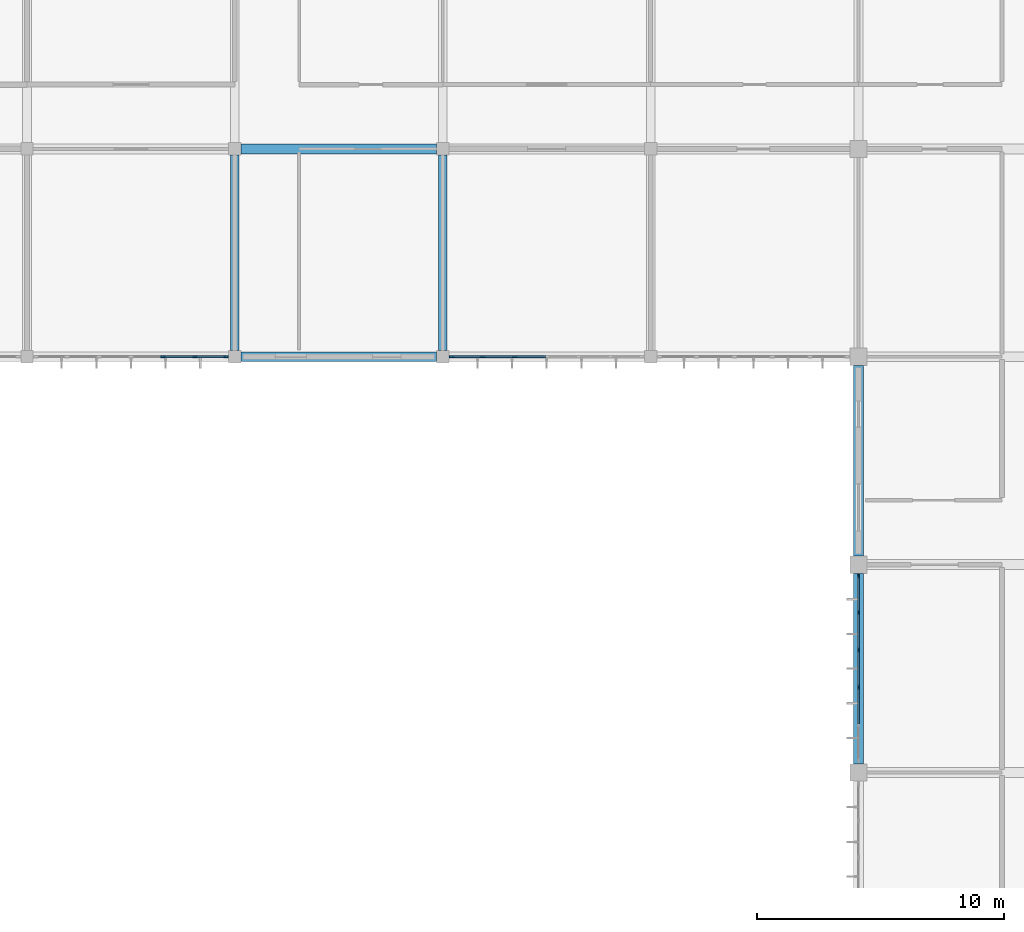
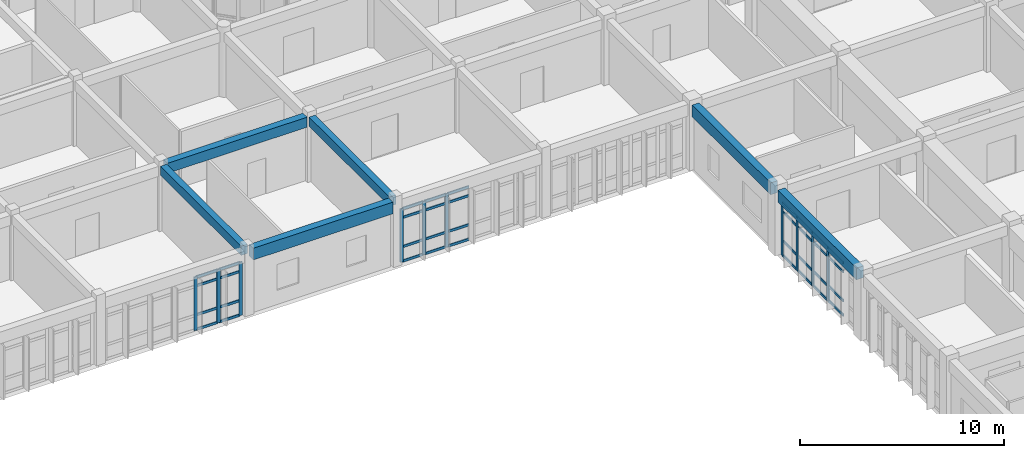
# One storey, part 11 of 119: 46 members, 6 beams, 3 elements without a shape of their own.
"""IFC4 building model written with IfcOpenShell, lengths in metres."""

from ifc_helpers import new_model, si_unit, direction, frame, origin, origin_2d, place, context, subcontext, project, spatial, rectangle, extrude, material, layer, layer_set, material_profile, profile_set, type_object, element, aggregate, save


model = new_model("IFC4")

# Units and contexts
model_context = context("Model", 3, precision=1e-05, world=origin(), true_north=direction((0.0, 1.0)))
body_context = subcontext(model_context, "Body", "Model", "MODEL_VIEW")
ifc_project = project(units=[si_unit("LENGTHUNIT", "METRE"), si_unit("AREAUNIT", "SQUARE_METRE"), si_unit("VOLUMEUNIT", "CUBIC_METRE"), si_unit("PLANEANGLEUNIT", "RADIAN"), si_unit("MASSUNIT", "GRAM", prefix="KILO")], contexts=[model_context])

# Site, building, storey
site_placement = place(None, origin())
site = spatial("IfcSite", under=ifc_project, at=site_placement, CompositionType="ELEMENT")
building_placement = place(site_placement, origin())
building = spatial("IfcBuilding", under=site, at=building_placement, Name="Bramfleet General Hospital", CompositionType="ELEMENT")
storey_placement = place(building_placement, frame((0.0, 0.0, 14.39990234375)))
storey = spatial("IfcBuildingStorey", under=building, at=storey_placement, Name="L03", CompositionType="ELEMENT", Elevation=14.39990234375)

# Beams
ifc_material_1 = material(Name="Concrete C35/45", Category="concrete")
ifc_material_profile_1 = material_profile(ifc_material_1, rectangle(XDim=0.35009765625, YDim=0.550048828125, at=origin_2d()), Name="RC BM 550x350")
ifc_profile_set_1 = profile_set([ifc_material_profile_1], Name="Concrete C35/45")
beam_type_1 = type_object("IfcBeamType", Name="BM-RC550", PredefinedType="BEAM", material=ifc_profile_set_1)
for number, where, z_axis, x_axis, name in (
    (1, (67.199951171875, 50.64990234375, 3.625), (0.0, 1.0, 0.0), (-1.0, 0.0, 0.0), "L03 Grid Beam Y 08-06"),
    (2, (75.60009765625, 50.64990234375, 3.625), (0.0, 1.0, 0.0), (-1.0, 0.0, 0.0), "L03 Grid Beam Y 09-06"),
):
    element("IfcBeam", number, at=place(storey_placement, frame(where, z_axis=z_axis, x_axis=x_axis)), inside=storey, type_object=beam_type_1, Name=name, PredefinedType="BEAM", context=body_context, shape_type="SweptSolid", body=[
        extrude(rectangle(XDim=0.35009765625, YDim=0.550048828125, at=origin_2d()), origin(), (0.0, 0.0, 1.0), 7.900146484375),
    ])
ifc_material_profile_2 = material_profile(ifc_material_1, rectangle(XDim=0.39990234375, YDim=0.60009765625, at=origin_2d()), Name="RC BM 600x400")
ifc_profile_set_2 = profile_set([ifc_material_profile_2], Name="Concrete C35/45")
beam_type_2 = type_object("IfcBeamType", Name="BM-RC600", PredefinedType="BEAM", material=ifc_profile_set_2)
beam_1_placement = place(storey_placement, frame((67.449951171875, 58.800048828125, 3.590087890625), z_axis=(1.0, 0.0, 0.0), x_axis=(0.0, 1.0, 0.0)))
element("IfcBeam", 3, at=beam_1_placement, inside=storey, type_object=beam_type_2, Name="L03 Grid Beam X 08-07", PredefinedType="BEAM", context=body_context, shape_type="SweptSolid", body=[
    extrude(rectangle(XDim=0.39990234375, YDim=0.60009765625, at=origin_2d()), origin(), (0.0, 0.0, 1.0), 7.900146484375),
])
ifc_material_profile_3 = material_profile(ifc_material_1, rectangle(XDim=0.39990234375, YDim=0.699951171875, at=origin_2d()), Name="RC SP 700x400")
ifc_profile_set_3 = profile_set([ifc_material_profile_3], Name="Concrete C35/45")
beam_type_3 = type_object("IfcBeamType", Name="BM-SP700", PredefinedType="SPANDREL", material=ifc_profile_set_3)
beam_2_placement = place(storey_placement, frame((67.449951171875, 50.39990234375, 3.550048828125), z_axis=(1.0, 0.0, 0.0), x_axis=(0.0, 1.0, 0.0)))
element("IfcBeam", 4, at=beam_2_placement, inside=storey, type_object=beam_type_3, Name="L03 Grid Beam X 08-06", PredefinedType="SPANDREL", context=body_context, shape_type="SweptSolid", body=[
    extrude(rectangle(XDim=0.39990234375, YDim=0.699951171875, at=origin_2d()), origin(), (0.0, 0.0, 1.0), 7.900146484375),
])
for number, where, z_axis, x_axis, name in (
    (5, (92.39990234375, 33.949951171875, 3.550048828125), (0.0, 1.0, 0.0), (-1.0, 0.0, 0.0), "L03 Grid Beam Y 11-04"),
    (6, (92.39990234375, 42.35009765625, 3.550048828125), (0.0, 1.0, 0.0), (-1.0, 0.0, 0.0), "L03 Grid Beam Y 11-05"),
):
    element("IfcBeam", number, at=place(storey_placement, frame(where, z_axis=z_axis, x_axis=x_axis)), inside=storey, type_object=beam_type_3, Name=name, PredefinedType="SPANDREL", context=body_context, shape_type="SweptSolid", body=[
        extrude(rectangle(XDim=0.39990234375, YDim=0.699951171875, at=origin_2d()), origin(), (0.0, 0.0, 1.0), 7.699951171875),
    ])

# Curtain wall, members
ifc_material_2 = material(Name="Anodised aluminium and low-E triple glazing", Category="aluminium")
ifc_layer_1 = layer(ifc_material_2, 0.179931640625, Name="CWT-CW-16")
ifc_layer_set_1 = layer_set([ifc_layer_1], Name="Anodised aluminium and low-E triple glazing")
curtain_wall_type_1 = type_object("IfcCurtainWallType", Name="CWT-CW-16", PredefinedType="USERDEFINED", material=ifc_layer_set_1)
curtain_wall_1_placement = place(storey_placement, origin())
curtain_wall_1 = element("IfcCurtainWall", 7, at=curtain_wall_1_placement, inside=storey, type_object=curtain_wall_type_1, Name="L03 Curtain Wall 178", ObjectType="Stick curtain wall", PredefinedType="USERDEFINED")
ifc_material_3 = material(Name="Structural timber GL28h", Category="wood")
ifc_material_profile_4 = material_profile(ifc_material_3, rectangle(XDim=0.070068359375, YDim=0.18994140625, at=origin_2d()), Name="LARCH 190x70")
ifc_profile_set_4 = profile_set([ifc_material_profile_4], Name="Structural timber GL28h")
member_type_1 = type_object("IfcMemberType", Name="CWM-LARCH450", PredefinedType="MULLION", material=ifc_profile_set_4)
member_1_placement = place(storey_placement, frame((92.39990234375, 37.044921875, 0.0), z_axis=(0.0, 0.0, 1.0), x_axis=(-1.0, 0.0, 0.0)))
member_1 = element("IfcMember", 8, at=member_1_placement, type_object=member_type_1, Name="CW-16 mullion 3", PredefinedType="MULLION", context=body_context, shape_type="SweptSolid", body=[
    extrude(rectangle(XDim=0.070068359375, YDim=0.18994140625, at=origin_2d()), origin(), (0.0, 0.0, 1.0), 3.190185546875),
])
member_2_placement = place(storey_placement, frame((92.39990234375, 38.554931640625, 0.0), z_axis=(0.0, 0.0, 1.0), x_axis=(-1.0, 0.0, 0.0)))
member_2 = element("IfcMember", 9, at=member_2_placement, type_object=member_type_1, Name="CW-16 mullion 4", PredefinedType="MULLION", context=body_context, shape_type="SweptSolid", body=[
    extrude(rectangle(XDim=0.070068359375, YDim=0.18994140625, at=origin_2d()), origin(), (0.0, 0.0, 1.0), 3.190185546875),
])
member_3_placement = place(storey_placement, frame((92.39990234375, 40.06494140625, 0.0), z_axis=(0.0, 0.0, 1.0), x_axis=(-1.0, 0.0, 0.0)))
member_3 = element("IfcMember", 10, at=member_3_placement, type_object=member_type_1, Name="CW-16 mullion 5", PredefinedType="MULLION", context=body_context, shape_type="SweptSolid", body=[
    extrude(rectangle(XDim=0.070068359375, YDim=0.18994140625, at=origin_2d()), origin(), (0.0, 0.0, 1.0), 3.190185546875),
])
member_4_placement = place(storey_placement, frame((92.39990234375, 41.5400390625, 0.0), z_axis=(0.0, 0.0, 1.0), x_axis=(-1.0, 0.0, 0.0)))
member_4 = element("IfcMember", 11, at=member_4_placement, type_object=member_type_1, Name="CW-16 mullion 6", PredefinedType="MULLION", context=body_context, shape_type="SweptSolid", body=[
    extrude(rectangle(XDim=0.070068359375, YDim=0.18994140625, at=origin_2d()), origin(), (0.0, 0.0, 1.0), 3.190185546875),
])

ifc_layer_2 = layer(ifc_material_2, 0.179931640625, Name="CWT-CW-18")
ifc_layer_set_2 = layer_set([ifc_layer_2], Name="Anodised aluminium and low-E triple glazing")
curtain_wall_type_2 = type_object("IfcCurtainWallType", Name="CWT-CW-18", PredefinedType="USERDEFINED", material=ifc_layer_set_2)
curtain_wall_2_placement = place(storey_placement, origin())
curtain_wall_2 = element("IfcCurtainWall", 12, at=curtain_wall_2_placement, inside=storey, type_object=curtain_wall_type_2, Name="L03 Curtain Wall 180", ObjectType="Stick curtain wall", PredefinedType="USERDEFINED")
member_5_placement = place(storey_placement, frame((78.50830078125, 50.39990234375, 0.0), z_axis=(0.0, 0.0, 1.0), x_axis=(0.0, -1.0, 0.0)))
member_5 = element("IfcMember", 13, at=member_5_placement, type_object=member_type_1, Name="CW-18 mullion 5", PredefinedType="MULLION", context=body_context, shape_type="SweptSolid", body=[
    extrude(rectangle(XDim=0.070068359375, YDim=0.18994140625, at=origin_2d()), origin(), (0.0, 0.0, 1.0), 3.190185546875),
])
member_6_placement = place(storey_placement, frame((77.216552734375, 50.39990234375, 0.0), z_axis=(0.0, 0.0, 1.0), x_axis=(0.0, -1.0, 0.0)))
member_6 = element("IfcMember", 14, at=member_6_placement, type_object=member_type_1, Name="CW-18 mullion 6", PredefinedType="MULLION", context=body_context, shape_type="SweptSolid", body=[
    extrude(rectangle(XDim=0.070068359375, YDim=0.18994140625, at=origin_2d()), origin(), (0.0, 0.0, 1.0), 3.190185546875),
])
member_7_placement = place(storey_placement, frame((75.9599609375, 50.39990234375, 0.0), z_axis=(0.0, 0.0, 1.0), x_axis=(0.0, -1.0, 0.0)))
member_7 = element("IfcMember", 15, at=member_7_placement, type_object=member_type_1, Name="CW-18 mullion 7", PredefinedType="MULLION", context=body_context, shape_type="SweptSolid", body=[
    extrude(rectangle(XDim=0.070068359375, YDim=0.18994140625, at=origin_2d()), origin(), (0.0, 0.0, 1.0), 3.190185546875),
])

ifc_layer_3 = layer(ifc_material_2, 0.179931640625, Name="CWT-CW-01")
ifc_layer_set_3 = layer_set([ifc_layer_3], Name="Anodised aluminium and low-E triple glazing")
curtain_wall_type_3 = type_object("IfcCurtainWallType", Name="CWT-CW-01", PredefinedType="USERDEFINED", material=ifc_layer_set_3)
curtain_wall_3_placement = place(storey_placement, origin())
curtain_wall_3 = element("IfcCurtainWall", 16, at=curtain_wall_3_placement, inside=storey, type_object=curtain_wall_type_3, Name="L03 Curtain Wall 181", ObjectType="Unitised curtain wall", PredefinedType="USERDEFINED")
member_8_placement = place(storey_placement, frame((66.840087890625, 50.39990234375, 0.0), z_axis=(0.0, 0.0, 1.0), x_axis=(0.0, -1.0, 0.0)))
member_8 = element("IfcMember", 17, at=member_8_placement, type_object=member_type_1, Name="CW-01 mullion 1", PredefinedType="MULLION", context=body_context, shape_type="SweptSolid", body=[
    extrude(rectangle(XDim=0.070068359375, YDim=0.18994140625, at=origin_2d()), origin(), (0.0, 0.0, 1.0), 3.190185546875),
])
member_9_placement = place(storey_placement, frame((65.583251953125, 50.39990234375, 0.0), z_axis=(0.0, 0.0, 1.0), x_axis=(0.0, -1.0, 0.0)))
member_9 = element("IfcMember", 18, at=member_9_placement, type_object=member_type_1, Name="CW-01 mullion 2", PredefinedType="MULLION", context=body_context, shape_type="SweptSolid", body=[
    extrude(rectangle(XDim=0.070068359375, YDim=0.18994140625, at=origin_2d()), origin(), (0.0, 0.0, 1.0), 3.190185546875),
])
member_10_placement = place(storey_placement, frame((64.291748046875, 50.39990234375, 0.0), z_axis=(0.0, 0.0, 1.0), x_axis=(0.0, -1.0, 0.0)))
member_10 = element("IfcMember", 19, at=member_10_placement, type_object=member_type_1, Name="CW-01 mullion 3", PredefinedType="MULLION", context=body_context, shape_type="SweptSolid", body=[
    extrude(rectangle(XDim=0.070068359375, YDim=0.18994140625, at=origin_2d()), origin(), (0.0, 0.0, 1.0), 3.190185546875),
])

# Member
ifc_material_profile_5 = material_profile(ifc_material_3, rectangle(XDim=0.06494140625, YDim=0.14990234375, at=origin_2d()), Name="LARCH 150x65")
ifc_profile_set_5 = profile_set([ifc_material_profile_5], Name="Structural timber GL28h")
member_type_2 = type_object("IfcMemberType", Name="CWT-LARCH220", PredefinedType="USERDEFINED", material=ifc_profile_set_5)
member_11_placement = place(storey_placement, frame((92.39990234375, 35.570068359375, 0.03271484375), z_axis=(0.0, 1.0, 0.0), x_axis=(-1.0, 0.0, 0.0)))
member_11 = element("IfcMember", 20, at=member_11_placement, type_object=member_type_2, Name="CW-16 transom 2.1", ObjectType="TRANSOM", PredefinedType="USERDEFINED", context=body_context, shape_type="SweptSolid", body=[
    extrude(rectangle(XDim=0.06494140625, YDim=0.14990234375, at=origin_2d()), origin(), (0.0, 0.0, 1.0), 1.43994140625),
])

member_12_placement = place(storey_placement, frame((92.39990234375, 35.570068359375, 0.900146484375), z_axis=(0.0, 1.0, 0.0), x_axis=(-1.0, 0.0, 0.0)))
member_12 = element("IfcMember", 21, at=member_12_placement, type_object=member_type_2, Name="CW-16 transom 2.2", ObjectType="TRANSOM", PredefinedType="USERDEFINED", context=body_context, shape_type="SweptSolid", body=[
    extrude(rectangle(XDim=0.06494140625, YDim=0.14990234375, at=origin_2d()), origin(), (0.0, 0.0, 1.0), 1.43994140625),
])

member_13_placement = place(storey_placement, frame((92.39990234375, 35.570068359375, 2.64013671875), z_axis=(0.0, 1.0, 0.0), x_axis=(-1.0, 0.0, 0.0)))
member_13 = element("IfcMember", 22, at=member_13_placement, type_object=member_type_2, Name="CW-16 transom 2.3", ObjectType="TRANSOM", PredefinedType="USERDEFINED", context=body_context, shape_type="SweptSolid", body=[
    extrude(rectangle(XDim=0.06494140625, YDim=0.14990234375, at=origin_2d()), origin(), (0.0, 0.0, 1.0), 1.43994140625),
])

member_14_placement = place(storey_placement, frame((92.39990234375, 35.570068359375, 3.15771484375), z_axis=(0.0, 1.0, 0.0), x_axis=(-1.0, 0.0, 0.0)))
member_14 = element("IfcMember", 23, at=member_14_placement, type_object=member_type_2, Name="CW-16 transom 2.4", ObjectType="TRANSOM", PredefinedType="USERDEFINED", context=body_context, shape_type="SweptSolid", body=[
    extrude(rectangle(XDim=0.06494140625, YDim=0.14990234375, at=origin_2d()), origin(), (0.0, 0.0, 1.0), 1.43994140625),
])

member_15_placement = place(storey_placement, frame((92.39990234375, 37.080078125, 0.03271484375), z_axis=(0.0, 1.0, 0.0), x_axis=(-1.0, 0.0, 0.0)))
member_15 = element("IfcMember", 24, at=member_15_placement, type_object=member_type_2, Name="CW-16 transom 3.1", ObjectType="TRANSOM", PredefinedType="USERDEFINED", context=body_context, shape_type="SweptSolid", body=[
    extrude(rectangle(XDim=0.06494140625, YDim=0.14990234375, at=origin_2d()), origin(), (0.0, 0.0, 1.0), 1.43994140625),
])

member_16_placement = place(storey_placement, frame((92.39990234375, 37.080078125, 0.900146484375), z_axis=(0.0, 1.0, 0.0), x_axis=(-1.0, 0.0, 0.0)))
member_16 = element("IfcMember", 25, at=member_16_placement, type_object=member_type_2, Name="CW-16 transom 3.2", ObjectType="TRANSOM", PredefinedType="USERDEFINED", context=body_context, shape_type="SweptSolid", body=[
    extrude(rectangle(XDim=0.06494140625, YDim=0.14990234375, at=origin_2d()), origin(), (0.0, 0.0, 1.0), 1.43994140625),
])

member_17_placement = place(storey_placement, frame((92.39990234375, 37.080078125, 2.64013671875), z_axis=(0.0, 1.0, 0.0), x_axis=(-1.0, 0.0, 0.0)))
member_17 = element("IfcMember", 26, at=member_17_placement, type_object=member_type_2, Name="CW-16 transom 3.3", ObjectType="TRANSOM", PredefinedType="USERDEFINED", context=body_context, shape_type="SweptSolid", body=[
    extrude(rectangle(XDim=0.06494140625, YDim=0.14990234375, at=origin_2d()), origin(), (0.0, 0.0, 1.0), 1.43994140625),
])

member_18_placement = place(storey_placement, frame((92.39990234375, 37.080078125, 3.15771484375), z_axis=(0.0, 1.0, 0.0), x_axis=(-1.0, 0.0, 0.0)))
member_18 = element("IfcMember", 27, at=member_18_placement, type_object=member_type_2, Name="CW-16 transom 3.4", ObjectType="TRANSOM", PredefinedType="USERDEFINED", context=body_context, shape_type="SweptSolid", body=[
    extrude(rectangle(XDim=0.06494140625, YDim=0.14990234375, at=origin_2d()), origin(), (0.0, 0.0, 1.0), 1.43994140625),
])

member_19_placement = place(storey_placement, frame((92.39990234375, 38.590087890625, 0.03271484375), z_axis=(0.0, 1.0, 0.0), x_axis=(-1.0, 0.0, 0.0)))
member_19 = element("IfcMember", 28, at=member_19_placement, type_object=member_type_2, Name="CW-16 transom 4.1", ObjectType="TRANSOM", PredefinedType="USERDEFINED", context=body_context, shape_type="SweptSolid", body=[
    extrude(rectangle(XDim=0.06494140625, YDim=0.14990234375, at=origin_2d()), origin(), (0.0, 0.0, 1.0), 1.43994140625),
])

member_20_placement = place(storey_placement, frame((92.39990234375, 38.590087890625, 0.900146484375), z_axis=(0.0, 1.0, 0.0), x_axis=(-1.0, 0.0, 0.0)))
member_20 = element("IfcMember", 29, at=member_20_placement, type_object=member_type_2, Name="CW-16 transom 4.2", ObjectType="TRANSOM", PredefinedType="USERDEFINED", context=body_context, shape_type="SweptSolid", body=[
    extrude(rectangle(XDim=0.06494140625, YDim=0.14990234375, at=origin_2d()), origin(), (0.0, 0.0, 1.0), 1.43994140625),
])

member_21_placement = place(storey_placement, frame((92.39990234375, 38.590087890625, 2.64013671875), z_axis=(0.0, 1.0, 0.0), x_axis=(-1.0, 0.0, 0.0)))
member_21 = element("IfcMember", 30, at=member_21_placement, type_object=member_type_2, Name="CW-16 transom 4.3", ObjectType="TRANSOM", PredefinedType="USERDEFINED", context=body_context, shape_type="SweptSolid", body=[
    extrude(rectangle(XDim=0.06494140625, YDim=0.14990234375, at=origin_2d()), origin(), (0.0, 0.0, 1.0), 1.43994140625),
])

member_22_placement = place(storey_placement, frame((92.39990234375, 38.590087890625, 3.15771484375), z_axis=(0.0, 1.0, 0.0), x_axis=(-1.0, 0.0, 0.0)))
member_22 = element("IfcMember", 31, at=member_22_placement, type_object=member_type_2, Name="CW-16 transom 4.4", ObjectType="TRANSOM", PredefinedType="USERDEFINED", context=body_context, shape_type="SweptSolid", body=[
    extrude(rectangle(XDim=0.06494140625, YDim=0.14990234375, at=origin_2d()), origin(), (0.0, 0.0, 1.0), 1.43994140625),
])

member_23_placement = place(storey_placement, frame((92.39990234375, 40.10009765625, 0.03271484375), z_axis=(0.0, 1.0, 0.0), x_axis=(-1.0, 0.0, 0.0)))
member_23 = element("IfcMember", 32, at=member_23_placement, type_object=member_type_2, Name="CW-16 transom 5.1", ObjectType="TRANSOM", PredefinedType="USERDEFINED", context=body_context, shape_type="SweptSolid", body=[
    extrude(rectangle(XDim=0.06494140625, YDim=0.14990234375, at=origin_2d()), origin(), (0.0, 0.0, 1.0), 1.40478515625),
])

member_24_placement = place(storey_placement, frame((92.39990234375, 40.10009765625, 0.900146484375), z_axis=(0.0, 1.0, 0.0), x_axis=(-1.0, 0.0, 0.0)))
member_24 = element("IfcMember", 33, at=member_24_placement, type_object=member_type_2, Name="CW-16 transom 5.2", ObjectType="TRANSOM", PredefinedType="USERDEFINED", context=body_context, shape_type="SweptSolid", body=[
    extrude(rectangle(XDim=0.06494140625, YDim=0.14990234375, at=origin_2d()), origin(), (0.0, 0.0, 1.0), 1.40478515625),
])

member_25_placement = place(storey_placement, frame((92.39990234375, 40.10009765625, 2.64013671875), z_axis=(0.0, 1.0, 0.0), x_axis=(-1.0, 0.0, 0.0)))
member_25 = element("IfcMember", 34, at=member_25_placement, type_object=member_type_2, Name="CW-16 transom 5.3", ObjectType="TRANSOM", PredefinedType="USERDEFINED", context=body_context, shape_type="SweptSolid", body=[
    extrude(rectangle(XDim=0.06494140625, YDim=0.14990234375, at=origin_2d()), origin(), (0.0, 0.0, 1.0), 1.40478515625),
])

member_26_placement = place(storey_placement, frame((92.39990234375, 40.10009765625, 3.15771484375), z_axis=(0.0, 1.0, 0.0), x_axis=(-1.0, 0.0, 0.0)))
member_26 = element("IfcMember", 35, at=member_26_placement, type_object=member_type_2, Name="CW-16 transom 5.4", ObjectType="TRANSOM", PredefinedType="USERDEFINED", context=body_context, shape_type="SweptSolid", body=[
    extrude(rectangle(XDim=0.06494140625, YDim=0.14990234375, at=origin_2d()), origin(), (0.0, 0.0, 1.0), 1.40478515625),
])

aggregate(curtain_wall_1, [member_1, member_2, member_3, member_4, member_11, member_12, member_13, member_14, member_15, member_16, member_17, member_18, member_19, member_20, member_21, member_22, member_23, member_24, member_25, member_26])

member_27_placement = place(storey_placement, frame((79.764892578125, 50.39990234375, 0.03271484375), z_axis=(-1.0, 0.0, 0.0), x_axis=(0.0, -1.0, 0.0)))
member_27 = element("IfcMember", 36, at=member_27_placement, type_object=member_type_2, Name="CW-18 transom 4.1", ObjectType="TRANSOM", PredefinedType="USERDEFINED", context=body_context, shape_type="SweptSolid", body=[
    extrude(rectangle(XDim=0.06494140625, YDim=0.14990234375, at=origin_2d()), origin(), (0.0, 0.0, 1.0), 1.2216796875),
])

member_28_placement = place(storey_placement, frame((79.764892578125, 50.39990234375, 0.900146484375), z_axis=(-1.0, 0.0, 0.0), x_axis=(0.0, -1.0, 0.0)))
member_28 = element("IfcMember", 37, at=member_28_placement, type_object=member_type_2, Name="CW-18 transom 4.2", ObjectType="TRANSOM", PredefinedType="USERDEFINED", context=body_context, shape_type="SweptSolid", body=[
    extrude(rectangle(XDim=0.06494140625, YDim=0.14990234375, at=origin_2d()), origin(), (0.0, 0.0, 1.0), 1.2216796875),
])

member_29_placement = place(storey_placement, frame((79.764892578125, 50.39990234375, 2.64013671875), z_axis=(-1.0, 0.0, 0.0), x_axis=(0.0, -1.0, 0.0)))
member_29 = element("IfcMember", 38, at=member_29_placement, type_object=member_type_2, Name="CW-18 transom 4.3", ObjectType="TRANSOM", PredefinedType="USERDEFINED", context=body_context, shape_type="SweptSolid", body=[
    extrude(rectangle(XDim=0.06494140625, YDim=0.14990234375, at=origin_2d()), origin(), (0.0, 0.0, 1.0), 1.2216796875),
])

member_30_placement = place(storey_placement, frame((79.764892578125, 50.39990234375, 3.15771484375), z_axis=(-1.0, 0.0, 0.0), x_axis=(0.0, -1.0, 0.0)))
member_30 = element("IfcMember", 39, at=member_30_placement, type_object=member_type_2, Name="CW-18 transom 4.4", ObjectType="TRANSOM", PredefinedType="USERDEFINED", context=body_context, shape_type="SweptSolid", body=[
    extrude(rectangle(XDim=0.06494140625, YDim=0.14990234375, at=origin_2d()), origin(), (0.0, 0.0, 1.0), 1.2216796875),
])

member_31_placement = place(storey_placement, frame((78.473388671875, 50.39990234375, 0.03271484375), z_axis=(-1.0, 0.0, 0.0), x_axis=(0.0, -1.0, 0.0)))
member_31 = element("IfcMember", 40, at=member_31_placement, type_object=member_type_2, Name="CW-18 transom 5.1", ObjectType="TRANSOM", PredefinedType="USERDEFINED", context=body_context, shape_type="SweptSolid", body=[
    extrude(rectangle(XDim=0.06494140625, YDim=0.14990234375, at=origin_2d()), origin(), (0.0, 0.0, 1.0), 1.2216796875),
])

member_32_placement = place(storey_placement, frame((78.473388671875, 50.39990234375, 0.900146484375), z_axis=(-1.0, 0.0, 0.0), x_axis=(0.0, -1.0, 0.0)))
member_32 = element("IfcMember", 41, at=member_32_placement, type_object=member_type_2, Name="CW-18 transom 5.2", ObjectType="TRANSOM", PredefinedType="USERDEFINED", context=body_context, shape_type="SweptSolid", body=[
    extrude(rectangle(XDim=0.06494140625, YDim=0.14990234375, at=origin_2d()), origin(), (0.0, 0.0, 1.0), 1.2216796875),
])

member_33_placement = place(storey_placement, frame((78.473388671875, 50.39990234375, 2.64013671875), z_axis=(-1.0, 0.0, 0.0), x_axis=(0.0, -1.0, 0.0)))
member_33 = element("IfcMember", 42, at=member_33_placement, type_object=member_type_2, Name="CW-18 transom 5.3", ObjectType="TRANSOM", PredefinedType="USERDEFINED", context=body_context, shape_type="SweptSolid", body=[
    extrude(rectangle(XDim=0.06494140625, YDim=0.14990234375, at=origin_2d()), origin(), (0.0, 0.0, 1.0), 1.2216796875),
])

member_34_placement = place(storey_placement, frame((78.473388671875, 50.39990234375, 3.15771484375), z_axis=(-1.0, 0.0, 0.0), x_axis=(0.0, -1.0, 0.0)))
member_34 = element("IfcMember", 43, at=member_34_placement, type_object=member_type_2, Name="CW-18 transom 5.4", ObjectType="TRANSOM", PredefinedType="USERDEFINED", context=body_context, shape_type="SweptSolid", body=[
    extrude(rectangle(XDim=0.06494140625, YDim=0.14990234375, at=origin_2d()), origin(), (0.0, 0.0, 1.0), 1.2216796875),
])

member_35_placement = place(storey_placement, frame((77.181640625, 50.39990234375, 0.03271484375), z_axis=(-1.0, 0.0, 0.0), x_axis=(0.0, -1.0, 0.0)))
member_35 = element("IfcMember", 44, at=member_35_placement, type_object=member_type_2, Name="CW-18 transom 6.1", ObjectType="TRANSOM", PredefinedType="USERDEFINED", context=body_context, shape_type="SweptSolid", body=[
    extrude(rectangle(XDim=0.06494140625, YDim=0.14990234375, at=origin_2d()), origin(), (0.0, 0.0, 1.0), 1.1865234375),
])

member_36_placement = place(storey_placement, frame((77.181640625, 50.39990234375, 0.900146484375), z_axis=(-1.0, 0.0, 0.0), x_axis=(0.0, -1.0, 0.0)))
member_36 = element("IfcMember", 45, at=member_36_placement, type_object=member_type_2, Name="CW-18 transom 6.2", ObjectType="TRANSOM", PredefinedType="USERDEFINED", context=body_context, shape_type="SweptSolid", body=[
    extrude(rectangle(XDim=0.06494140625, YDim=0.14990234375, at=origin_2d()), origin(), (0.0, 0.0, 1.0), 1.1865234375),
])

member_37_placement = place(storey_placement, frame((77.181640625, 50.39990234375, 2.64013671875), z_axis=(-1.0, 0.0, 0.0), x_axis=(0.0, -1.0, 0.0)))
member_37 = element("IfcMember", 46, at=member_37_placement, type_object=member_type_2, Name="CW-18 transom 6.3", ObjectType="TRANSOM", PredefinedType="USERDEFINED", context=body_context, shape_type="SweptSolid", body=[
    extrude(rectangle(XDim=0.06494140625, YDim=0.14990234375, at=origin_2d()), origin(), (0.0, 0.0, 1.0), 1.1865234375),
])

member_38_placement = place(storey_placement, frame((77.181640625, 50.39990234375, 3.15771484375), z_axis=(-1.0, 0.0, 0.0), x_axis=(0.0, -1.0, 0.0)))
member_38 = element("IfcMember", 47, at=member_38_placement, type_object=member_type_2, Name="CW-18 transom 6.4", ObjectType="TRANSOM", PredefinedType="USERDEFINED", context=body_context, shape_type="SweptSolid", body=[
    extrude(rectangle(XDim=0.06494140625, YDim=0.14990234375, at=origin_2d()), origin(), (0.0, 0.0, 1.0), 1.1865234375),
])

aggregate(curtain_wall_2, [member_5, member_6, member_7, member_27, member_28, member_29, member_30, member_31, member_32, member_33, member_34, member_35, member_36, member_37, member_38])

member_39_placement = place(storey_placement, frame((66.804931640625, 50.39990234375, 0.03271484375), z_axis=(-1.0, 0.0, 0.0), x_axis=(0.0, -1.0, 0.0)))
member_39 = element("IfcMember", 48, at=member_39_placement, type_object=member_type_2, Name="CW-01 transom 1.1", ObjectType="TRANSOM", PredefinedType="USERDEFINED", context=body_context, shape_type="SweptSolid", body=[
    extrude(rectangle(XDim=0.06494140625, YDim=0.14990234375, at=origin_2d()), origin(), (0.0, 0.0, 1.0), 1.1865234375),
])

member_40_placement = place(storey_placement, frame((66.804931640625, 50.39990234375, 0.900146484375), z_axis=(-1.0, 0.0, 0.0), x_axis=(0.0, -1.0, 0.0)))
member_40 = element("IfcMember", 49, at=member_40_placement, type_object=member_type_2, Name="CW-01 transom 1.2", ObjectType="TRANSOM", PredefinedType="USERDEFINED", context=body_context, shape_type="SweptSolid", body=[
    extrude(rectangle(XDim=0.06494140625, YDim=0.14990234375, at=origin_2d()), origin(), (0.0, 0.0, 1.0), 1.1865234375),
])

member_41_placement = place(storey_placement, frame((66.804931640625, 50.39990234375, 2.64013671875), z_axis=(-1.0, 0.0, 0.0), x_axis=(0.0, -1.0, 0.0)))
member_41 = element("IfcMember", 50, at=member_41_placement, type_object=member_type_2, Name="CW-01 transom 1.3", ObjectType="TRANSOM", PredefinedType="USERDEFINED", context=body_context, shape_type="SweptSolid", body=[
    extrude(rectangle(XDim=0.06494140625, YDim=0.14990234375, at=origin_2d()), origin(), (0.0, 0.0, 1.0), 1.1865234375),
])

member_42_placement = place(storey_placement, frame((66.804931640625, 50.39990234375, 3.15771484375), z_axis=(-1.0, 0.0, 0.0), x_axis=(0.0, -1.0, 0.0)))
member_42 = element("IfcMember", 51, at=member_42_placement, type_object=member_type_2, Name="CW-01 transom 1.4", ObjectType="TRANSOM", PredefinedType="USERDEFINED", context=body_context, shape_type="SweptSolid", body=[
    extrude(rectangle(XDim=0.06494140625, YDim=0.14990234375, at=origin_2d()), origin(), (0.0, 0.0, 1.0), 1.1865234375),
])

member_43_placement = place(storey_placement, frame((65.54833984375, 50.39990234375, 0.03271484375), z_axis=(-1.0, 0.0, 0.0), x_axis=(0.0, -1.0, 0.0)))
member_43 = element("IfcMember", 52, at=member_43_placement, type_object=member_type_2, Name="CW-01 transom 2.1", ObjectType="TRANSOM", PredefinedType="USERDEFINED", context=body_context, shape_type="SweptSolid", body=[
    extrude(rectangle(XDim=0.06494140625, YDim=0.14990234375, at=origin_2d()), origin(), (0.0, 0.0, 1.0), 1.2216796875),
])

member_44_placement = place(storey_placement, frame((65.54833984375, 50.39990234375, 0.900146484375), z_axis=(-1.0, 0.0, 0.0), x_axis=(0.0, -1.0, 0.0)))
member_44 = element("IfcMember", 53, at=member_44_placement, type_object=member_type_2, Name="CW-01 transom 2.2", ObjectType="TRANSOM", PredefinedType="USERDEFINED", context=body_context, shape_type="SweptSolid", body=[
    extrude(rectangle(XDim=0.06494140625, YDim=0.14990234375, at=origin_2d()), origin(), (0.0, 0.0, 1.0), 1.2216796875),
])

member_45_placement = place(storey_placement, frame((65.54833984375, 50.39990234375, 2.64013671875), z_axis=(-1.0, 0.0, 0.0), x_axis=(0.0, -1.0, 0.0)))
member_45 = element("IfcMember", 54, at=member_45_placement, type_object=member_type_2, Name="CW-01 transom 2.3", ObjectType="TRANSOM", PredefinedType="USERDEFINED", context=body_context, shape_type="SweptSolid", body=[
    extrude(rectangle(XDim=0.06494140625, YDim=0.14990234375, at=origin_2d()), origin(), (0.0, 0.0, 1.0), 1.2216796875),
])

member_46_placement = place(storey_placement, frame((65.54833984375, 50.39990234375, 3.15771484375), z_axis=(-1.0, 0.0, 0.0), x_axis=(0.0, -1.0, 0.0)))
member_46 = element("IfcMember", 55, at=member_46_placement, type_object=member_type_2, Name="CW-01 transom 2.4", ObjectType="TRANSOM", PredefinedType="USERDEFINED", context=body_context, shape_type="SweptSolid", body=[
    extrude(rectangle(XDim=0.06494140625, YDim=0.14990234375, at=origin_2d()), origin(), (0.0, 0.0, 1.0), 1.2216796875),
])

aggregate(curtain_wall_3, [member_8, member_9, member_10, member_39, member_40, member_41, member_42, member_43, member_44, member_45, member_46])

save(model, "model.ifc")
